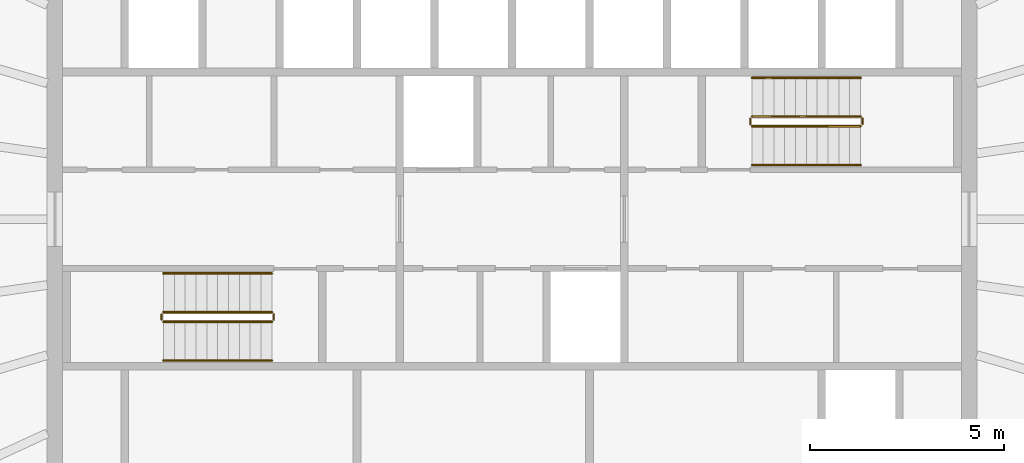
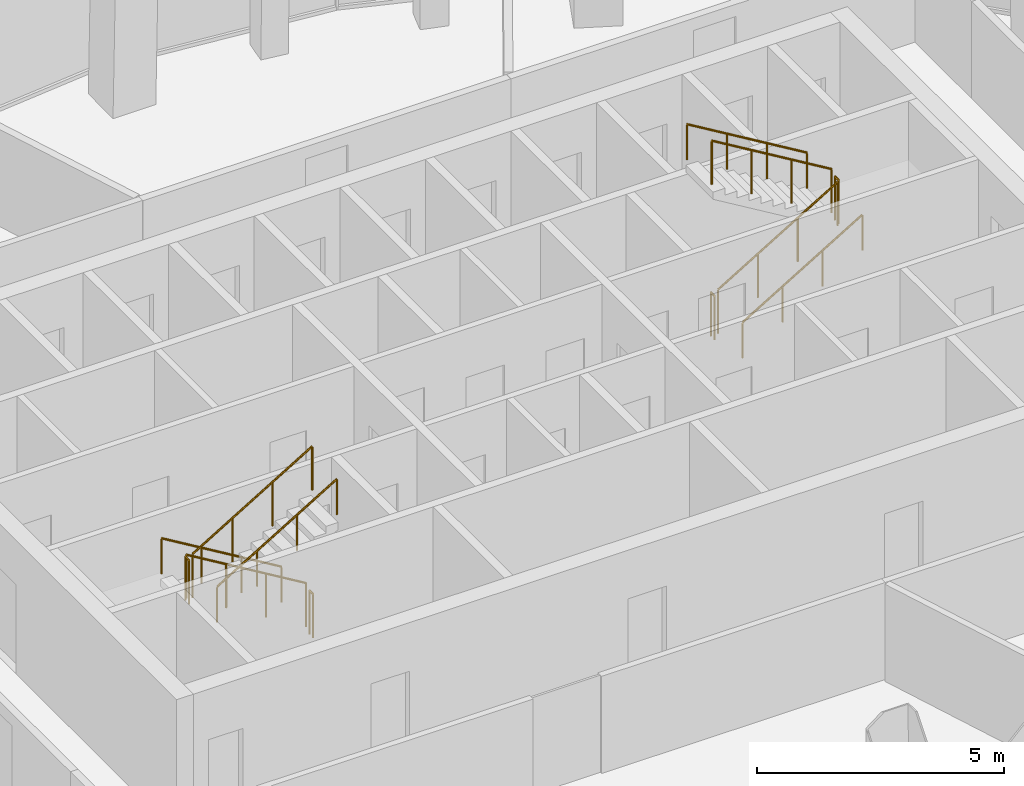
# One storey, part 11 of 11: 12 railings.
"""IFC4 building model written with IfcOpenShell, lengths in metres."""

from ifc_helpers import new_model, si_unit, direction, frame, origin, origin_2d, place, context, subcontext, project, spatial, circle, extrude, material, type_object, element, save


model = new_model("IFC4")

# Units and contexts
model_context = context("Model", 3, precision=1e-05, world=origin(), true_north=direction((0.0, 1.0)))
body_context = subcontext(model_context, "Body", "Model", "MODEL_VIEW")
ifc_project = project(units=[si_unit("LENGTHUNIT", "METRE"), si_unit("AREAUNIT", "SQUARE_METRE"), si_unit("VOLUMEUNIT", "CUBIC_METRE"), si_unit("PLANEANGLEUNIT", "RADIAN"), si_unit("MASSUNIT", "GRAM", prefix="KILO")], contexts=[model_context])

# Site, building, storey
site_placement = place(None, origin())
site = spatial("IfcSite", under=ifc_project, at=site_placement, CompositionType="ELEMENT")
building_placement = place(site_placement, origin())
building = spatial("IfcBuilding", under=site, at=building_placement, Name="Siaravel Broadcast Tower", CompositionType="ELEMENT")
storey_placement = place(building_placement, frame((0.0, 0.0, 257.800048828125)))
storey = spatial("IfcBuildingStorey", under=building, at=storey_placement, Name="L63", CompositionType="ELEMENT", Elevation=257.800048828125)

# Railings
ifc_material = material(Name="Stainless steel 316L", Category="steel")
railing_type_1 = type_object("IfcRailingType", Name="Stair guard 1100", PredefinedType="GUARDRAIL", material=ifc_material)
railing_1_placement = place(storey_placement, frame((-6.199951171875, -2.39990234375, 0.168212890625)))
element("IfcRailing", 1, at=railing_1_placement, inside=storey, type_object=railing_type_1, Name="L63 ST-1 stair guard 1", PredefinedType="GUARDRAIL", context=body_context, shape_type="SweptSolid", body=[
    extrude(circle(Radius=0.02392578125, at=origin_2d()), frame((0.0, 0.0, 1.076171875), z_axis=(-0.857275203, 0.0, 0.514858453), x_axis=(0.0, -1.0, 0.0)), (0.0, 0.0, 1.0), 3.26611328125),
    extrude(circle(Radius=0.02099609375, at=origin_2d()), origin(), (0.0, 0.0, 1.0), 1.052001953125),
    extrude(circle(Radius=0.02099609375, at=origin_2d()), frame((-0.933349609375, 0.0, 0.560546875)), (0.0, 0.0, 1.0), 1.052001953125),
    extrude(circle(Radius=0.02099609375, at=origin_2d()), frame((-1.86669921875, 0.0, 1.12109375)), (0.0, 0.0, 1.0), 1.052001953125),
    extrude(circle(Radius=0.02099609375, at=origin_2d()), frame((-2.800048828125, 0.0, 1.681640625)), (0.0, 0.0, 1.0), 1.052001953125),
])
railing_2_placement = place(storey_placement, frame((-9.050048828125, -2.449951171875, 1.849853515625)))
element("IfcRailing", 2, at=railing_2_placement, inside=storey, type_object=railing_type_1, Name="L63 ST-1 stair guard 2", PredefinedType="GUARDRAIL", context=body_context, shape_type="SweptSolid", body=[
    extrude(circle(Radius=0.02392578125, at=origin_2d()), frame((0.0, 0.0, 1.076171875), z_axis=(0.0, -1.0, 0.0), x_axis=(1.0, 0.0, 0.0)), (0.0, 0.0, 1.0), 0.150146484375),
    extrude(circle(Radius=0.02099609375, at=origin_2d()), origin(), (0.0, 0.0, 1.0), 1.052001953125),
    extrude(circle(Radius=0.02099609375, at=origin_2d()), frame((0.0, -0.150146484375, 0.0)), (0.0, 0.0, 1.0), 1.052001953125),
])
railing_3_placement = place(storey_placement, frame((-9.0, -2.64990234375, 2.01806640625)))
element("IfcRailing", 3, at=railing_3_placement, inside=storey, type_object=railing_type_1, Name="L63 ST-1 stair guard 3", PredefinedType="GUARDRAIL", context=body_context, shape_type="SweptSolid", body=[
    extrude(circle(Radius=0.02392578125, at=origin_2d()), frame((0.0, 0.0, 1.076171875), z_axis=(0.857242211, 0.0, 0.514913383), x_axis=(0.0, 1.0, 0.0)), (0.0, 0.0, 1.0), 3.266357421875),
    extrude(circle(Radius=0.02099609375, at=origin_2d()), origin(), (0.0, 0.0, 1.0), 1.052001953125),
    extrude(circle(Radius=0.02099609375, at=origin_2d()), frame((0.933349609375, 0.0, 0.560546875)), (0.0, 0.0, 1.0), 1.052001953125),
    extrude(circle(Radius=0.02099609375, at=origin_2d()), frame((1.86669921875, 0.0, 1.121337890625)), (0.0, 0.0, 1.0), 1.052001953125),
    extrude(circle(Radius=0.02099609375, at=origin_2d()), frame((2.800048828125, 0.0, 1.681884765625)), (0.0, 0.0, 1.0), 1.052001953125),
])
railing_4_placement = place(storey_placement, frame((-6.14990234375, -2.449951171875, 0.0)))
element("IfcRailing", 4, at=railing_4_placement, inside=storey, type_object=railing_type_1, Name="L63 ST-1 stair guard 4", PredefinedType="GUARDRAIL", context=body_context, shape_type="SweptSolid", body=[
    extrude(circle(Radius=0.02392578125, at=origin_2d()), frame((0.0, 0.0, 1.076171875), z_axis=(0.0, -1.0, 0.0), x_axis=(1.0, 0.0, 0.0)), (0.0, 0.0, 1.0), 0.150146484375),
    extrude(circle(Radius=0.02099609375, at=origin_2d()), origin(), (0.0, 0.0, 1.0), 1.052001953125),
    extrude(circle(Radius=0.02099609375, at=origin_2d()), frame((0.0, -0.150146484375, 0.0)), (0.0, 0.0, 1.0), 1.052001953125),
])
railing_5_placement = place(storey_placement, frame((6.199951171875, 2.39990234375, 0.168212890625)))
element("IfcRailing", 5, at=railing_5_placement, inside=storey, type_object=railing_type_1, Name="L63 ST-2 stair guard 1", PredefinedType="GUARDRAIL", context=body_context, shape_type="SweptSolid", body=[
    extrude(circle(Radius=0.02392578125, at=origin_2d()), frame((0.0, 0.0, 1.076171875), z_axis=(0.857275203, 0.0, 0.514858453), x_axis=(0.0, 1.0, 0.0)), (0.0, 0.0, 1.0), 3.26611328125),
    extrude(circle(Radius=0.02099609375, at=origin_2d()), origin(), (0.0, 0.0, 1.0), 1.052001953125),
    extrude(circle(Radius=0.02099609375, at=origin_2d()), frame((0.933349609375, 0.0, 0.560546875)), (0.0, 0.0, 1.0), 1.052001953125),
    extrude(circle(Radius=0.02099609375, at=origin_2d()), frame((1.86669921875, 0.0, 1.12109375)), (0.0, 0.0, 1.0), 1.052001953125),
    extrude(circle(Radius=0.02099609375, at=origin_2d()), frame((2.800048828125, 0.0, 1.681640625)), (0.0, 0.0, 1.0), 1.052001953125),
])
railing_6_placement = place(storey_placement, frame((9.050048828125, 2.449951171875, 1.849853515625)))
element("IfcRailing", 6, at=railing_6_placement, inside=storey, type_object=railing_type_1, Name="L63 ST-2 stair guard 2", PredefinedType="GUARDRAIL", context=body_context, shape_type="SweptSolid", body=[
    extrude(circle(Radius=0.02392578125, at=origin_2d()), frame((0.0, 0.0, 1.076171875), z_axis=(0.0, 1.0, 0.0), x_axis=(-1.0, 0.0, 0.0)), (0.0, 0.0, 1.0), 0.150146484375),
    extrude(circle(Radius=0.02099609375, at=origin_2d()), origin(), (0.0, 0.0, 1.0), 1.052001953125),
    extrude(circle(Radius=0.02099609375, at=origin_2d()), frame((0.0, 0.150146484375, 0.0)), (0.0, 0.0, 1.0), 1.052001953125),
])
railing_7_placement = place(storey_placement, frame((9.0, 2.64990234375, 2.01806640625)))
element("IfcRailing", 7, at=railing_7_placement, inside=storey, type_object=railing_type_1, Name="L63 ST-2 stair guard 3", PredefinedType="GUARDRAIL", context=body_context, shape_type="SweptSolid", body=[
    extrude(circle(Radius=0.02392578125, at=origin_2d()), frame((0.0, 0.0, 1.076171875), z_axis=(-0.857242211, 0.0, 0.514913383), x_axis=(0.0, -1.0, 0.0)), (0.0, 0.0, 1.0), 3.266357421875),
    extrude(circle(Radius=0.02099609375, at=origin_2d()), origin(), (0.0, 0.0, 1.0), 1.052001953125),
    extrude(circle(Radius=0.02099609375, at=origin_2d()), frame((-0.933349609375, 0.0, 0.560546875)), (0.0, 0.0, 1.0), 1.052001953125),
    extrude(circle(Radius=0.02099609375, at=origin_2d()), frame((-1.86669921875, 0.0, 1.121337890625)), (0.0, 0.0, 1.0), 1.052001953125),
    extrude(circle(Radius=0.02099609375, at=origin_2d()), frame((-2.800048828125, 0.0, 1.681884765625)), (0.0, 0.0, 1.0), 1.052001953125),
])
railing_8_placement = place(storey_placement, frame((6.14990234375, 2.449951171875, 0.0)))
element("IfcRailing", 8, at=railing_8_placement, inside=storey, type_object=railing_type_1, Name="L63 ST-2 stair guard 4", PredefinedType="GUARDRAIL", context=body_context, shape_type="SweptSolid", body=[
    extrude(circle(Radius=0.02392578125, at=origin_2d()), frame((0.0, 0.0, 1.076171875), z_axis=(0.0, 1.0, 0.0), x_axis=(-1.0, 0.0, 0.0)), (0.0, 0.0, 1.0), 0.150146484375),
    extrude(circle(Radius=0.02099609375, at=origin_2d()), origin(), (0.0, 0.0, 1.0), 1.052001953125),
    extrude(circle(Radius=0.02099609375, at=origin_2d()), frame((0.0, 0.150146484375, 0.0)), (0.0, 0.0, 1.0), 1.052001953125),
])
railing_type_2 = type_object("IfcRailingType", Name="Stair handrail 900", PredefinedType="HANDRAIL", material=ifc_material)
railing_9_placement = place(storey_placement, frame((-6.199951171875, -1.39990234375, 0.168212890625)))
element("IfcRailing", 9, at=railing_9_placement, inside=storey, type_object=railing_type_2, Name="L63 ST-1 stair handrail 1", PredefinedType="HANDRAIL", context=body_context, shape_type="SweptSolid", body=[
    extrude(circle(Radius=0.02392578125, at=origin_2d()), frame((0.0, 0.0, 0.8759765625), z_axis=(-0.857275203, 0.0, 0.514858453), x_axis=(0.0, -1.0, 0.0)), (0.0, 0.0, 1.0), 3.26611328125),
    extrude(circle(Radius=0.02099609375, at=origin_2d()), origin(), (0.0, 0.0, 1.0), 0.851806640625),
    extrude(circle(Radius=0.02099609375, at=origin_2d()), frame((-0.933349609375, 0.0, 0.560546875)), (0.0, 0.0, 1.0), 0.851806640625),
    extrude(circle(Radius=0.02099609375, at=origin_2d()), frame((-1.86669921875, 0.0, 1.12109375)), (0.0, 0.0, 1.0), 0.851806640625),
    extrude(circle(Radius=0.02099609375, at=origin_2d()), frame((-2.800048828125, 0.0, 1.681640625)), (0.0, 0.0, 1.0), 0.851806640625),
])
railing_10_placement = place(storey_placement, frame((-9.0, -3.64990234375, 2.01806640625)))
element("IfcRailing", 10, at=railing_10_placement, inside=storey, type_object=railing_type_2, Name="L63 ST-1 stair handrail 2", PredefinedType="HANDRAIL", context=body_context, shape_type="SweptSolid", body=[
    extrude(circle(Radius=0.02392578125, at=origin_2d()), frame((0.0, 0.0, 0.8759765625), z_axis=(0.857242211, 0.0, 0.514913383), x_axis=(0.0, 1.0, 0.0)), (0.0, 0.0, 1.0), 3.266357421875),
    extrude(circle(Radius=0.02099609375, at=origin_2d()), origin(), (0.0, 0.0, 1.0), 0.851806640625),
    extrude(circle(Radius=0.02099609375, at=origin_2d()), frame((0.933349609375, 0.0, 0.560546875)), (0.0, 0.0, 1.0), 0.851806640625),
    extrude(circle(Radius=0.02099609375, at=origin_2d()), frame((1.86669921875, 0.0, 1.121337890625)), (0.0, 0.0, 1.0), 0.851806640625),
    extrude(circle(Radius=0.02099609375, at=origin_2d()), frame((2.800048828125, 0.0, 1.681884765625)), (0.0, 0.0, 1.0), 0.851806640625),
])
railing_11_placement = place(storey_placement, frame((6.199951171875, 1.39990234375, 0.168212890625)))
element("IfcRailing", 11, at=railing_11_placement, inside=storey, type_object=railing_type_2, Name="L63 ST-2 stair handrail 1", PredefinedType="HANDRAIL", context=body_context, shape_type="SweptSolid", body=[
    extrude(circle(Radius=0.02392578125, at=origin_2d()), frame((0.0, 0.0, 0.8759765625), z_axis=(0.857275203, 0.0, 0.514858453), x_axis=(0.0, 1.0, 0.0)), (0.0, 0.0, 1.0), 3.26611328125),
    extrude(circle(Radius=0.02099609375, at=origin_2d()), origin(), (0.0, 0.0, 1.0), 0.851806640625),
    extrude(circle(Radius=0.02099609375, at=origin_2d()), frame((0.933349609375, 0.0, 0.560546875)), (0.0, 0.0, 1.0), 0.851806640625),
    extrude(circle(Radius=0.02099609375, at=origin_2d()), frame((1.86669921875, 0.0, 1.12109375)), (0.0, 0.0, 1.0), 0.851806640625),
    extrude(circle(Radius=0.02099609375, at=origin_2d()), frame((2.800048828125, 0.0, 1.681640625)), (0.0, 0.0, 1.0), 0.851806640625),
])
railing_12_placement = place(storey_placement, frame((9.0, 3.64990234375, 2.01806640625)))
element("IfcRailing", 12, at=railing_12_placement, inside=storey, type_object=railing_type_2, Name="L63 ST-2 stair handrail 2", PredefinedType="HANDRAIL", context=body_context, shape_type="SweptSolid", body=[
    extrude(circle(Radius=0.02392578125, at=origin_2d()), frame((0.0, 0.0, 0.8759765625), z_axis=(-0.857242211, 0.0, 0.514913383), x_axis=(0.0, -1.0, 0.0)), (0.0, 0.0, 1.0), 3.266357421875),
    extrude(circle(Radius=0.02099609375, at=origin_2d()), origin(), (0.0, 0.0, 1.0), 0.851806640625),
    extrude(circle(Radius=0.02099609375, at=origin_2d()), frame((-0.933349609375, 0.0, 0.560546875)), (0.0, 0.0, 1.0), 0.851806640625),
    extrude(circle(Radius=0.02099609375, at=origin_2d()), frame((-1.86669921875, 0.0, 1.121337890625)), (0.0, 0.0, 1.0), 0.851806640625),
    extrude(circle(Radius=0.02099609375, at=origin_2d()), frame((-2.800048828125, 0.0, 1.681884765625)), (0.0, 0.0, 1.0), 0.851806640625),
])

save(model, "model.ifc")
